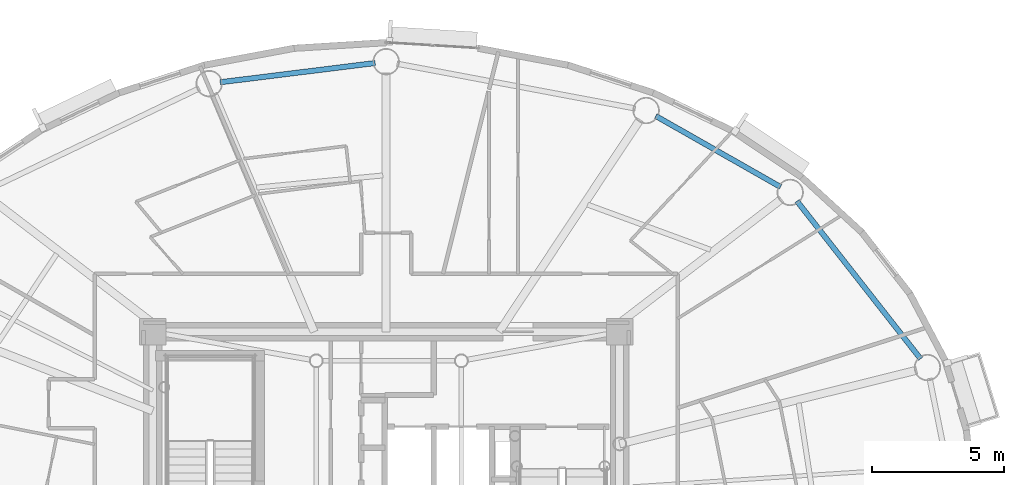
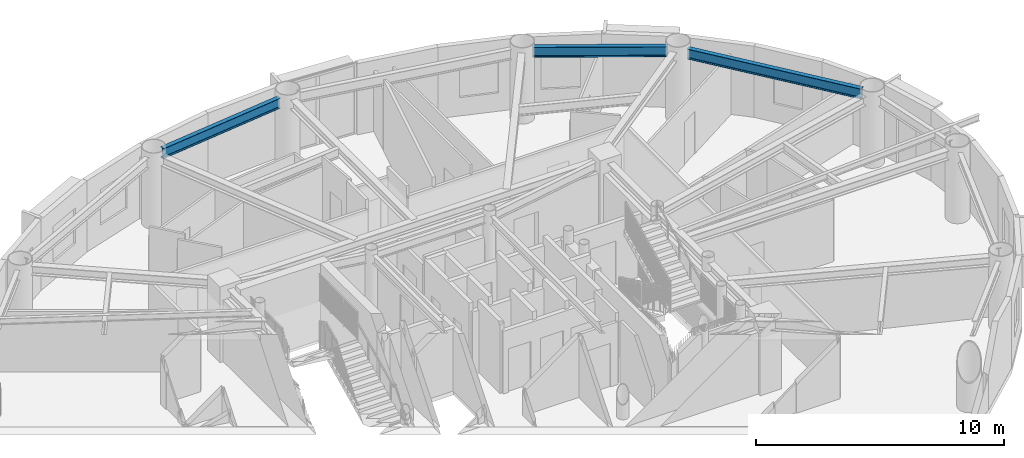
# One storey, part 3 of 18: 3 beams.
"""IFC4 building model written with IfcOpenShell, lengths in metres."""

from ifc_helpers import new_model, si_unit, direction, frame, origin, origin_2d, place, context, subcontext, project, spatial, i_section, extrude, material, material_profile, profile_set, type_object, element, save


model = new_model("IFC4")

# Units and contexts
model_context = context("Model", 3, precision=1e-05, world=origin(), true_north=direction((0.0, 1.0)))
body_context = subcontext(model_context, "Body", "Model", "MODEL_VIEW")
ifc_project = project(units=[si_unit("LENGTHUNIT", "METRE"), si_unit("AREAUNIT", "SQUARE_METRE"), si_unit("VOLUMEUNIT", "CUBIC_METRE"), si_unit("PLANEANGLEUNIT", "RADIAN"), si_unit("MASSUNIT", "GRAM", prefix="KILO")], contexts=[model_context])

# Site, building, storey
site_placement = place(None, origin())
site = spatial("IfcSite", under=ifc_project, at=site_placement, CompositionType="ELEMENT")
building_placement = place(site_placement, origin())
building = spatial("IfcBuilding", under=site, at=building_placement, Name="Linh Dai School and Residence Tower", CompositionType="ELEMENT")
storey_placement = place(building_placement, frame((0.0, 0.0, 295.5)))
storey = spatial("IfcBuildingStorey", under=building, at=storey_placement, Name="L73", CompositionType="ELEMENT", Elevation=295.5)

# Beams
ifc_material = material(Name="Structural Steel S355JR", Category="steel")
ifc_material_profile = material_profile(ifc_material, i_section(OverallWidth=0.199951171875, OverallDepth=0.5, WebThickness=0.01025390625, FlangeThickness=0.01611328125, FilletRadius=0.02099609375, at=origin_2d()), Name="IPE 500")
ifc_profile_set = profile_set([ifc_material_profile], Name="Structural Steel S355JR")
beam_type = type_object("IfcBeamType", Name="BM-RB50", PredefinedType="BEAM", material=ifc_profile_set)
beam_1_placement = place(storey_placement, frame((56.259521484375, 32.425048828125, 3.25), z_axis=(-0.616882739554, 0.787055071542, 0.0), x_axis=(-0.787055071542, -0.616882739554, 0.0)))
element("IfcBeam", 1, at=beam_1_placement, inside=storey, type_object=beam_type, Name="L73 Perimeter Elliptical Ring Beam 02", PredefinedType="BEAM", context=body_context, shape_type="SweptSolid", body=[
    extrude(i_section(OverallWidth=0.199951171875, OverallDepth=0.5, WebThickness=0.01025390625, FlangeThickness=0.01611328125, FilletRadius=0.02099609375, at=origin_2d()), origin(), (0.0, 0.0, 1.0), 7.59521484375),
])
beam_2_placement = place(storey_placement, frame((50.949951171875, 38.94091796875, 3.25), z_axis=(-0.869265548778, 0.494345431564, 0.0), x_axis=(-0.494345431564, -0.869265548778, 0.0)))
element("IfcBeam", 2, at=beam_2_placement, inside=storey, type_object=beam_type, Name="L73 Perimeter Elliptical Ring Beam 03", PredefinedType="BEAM", context=body_context, shape_type="SweptSolid", body=[
    extrude(i_section(OverallWidth=0.199951171875, OverallDepth=0.5, WebThickness=0.01025390625, FlangeThickness=0.01611328125, FilletRadius=0.02099609375, at=origin_2d()), origin(), (0.0, 0.0, 1.0), 5.44189453125),
])
beam_3_placement = place(storey_placement, frame((35.583251953125, 43.638427734375, 3.25), z_axis=(-0.992399134443, -0.123060789678, 0.0), x_axis=(0.123060789678, -0.992399134443, 0.0)))
element("IfcBeam", 3, at=beam_3_placement, inside=storey, type_object=beam_type, Name="L73 Perimeter Elliptical Ring Beam 05", PredefinedType="BEAM", context=body_context, shape_type="SweptSolid", body=[
    extrude(i_section(OverallWidth=0.199951171875, OverallDepth=0.5, WebThickness=0.01025390625, FlangeThickness=0.01611328125, FilletRadius=0.02099609375, at=origin_2d()), origin(), (0.0, 0.0, 1.0), 5.923828125),
])

save(model, "model.ifc")
